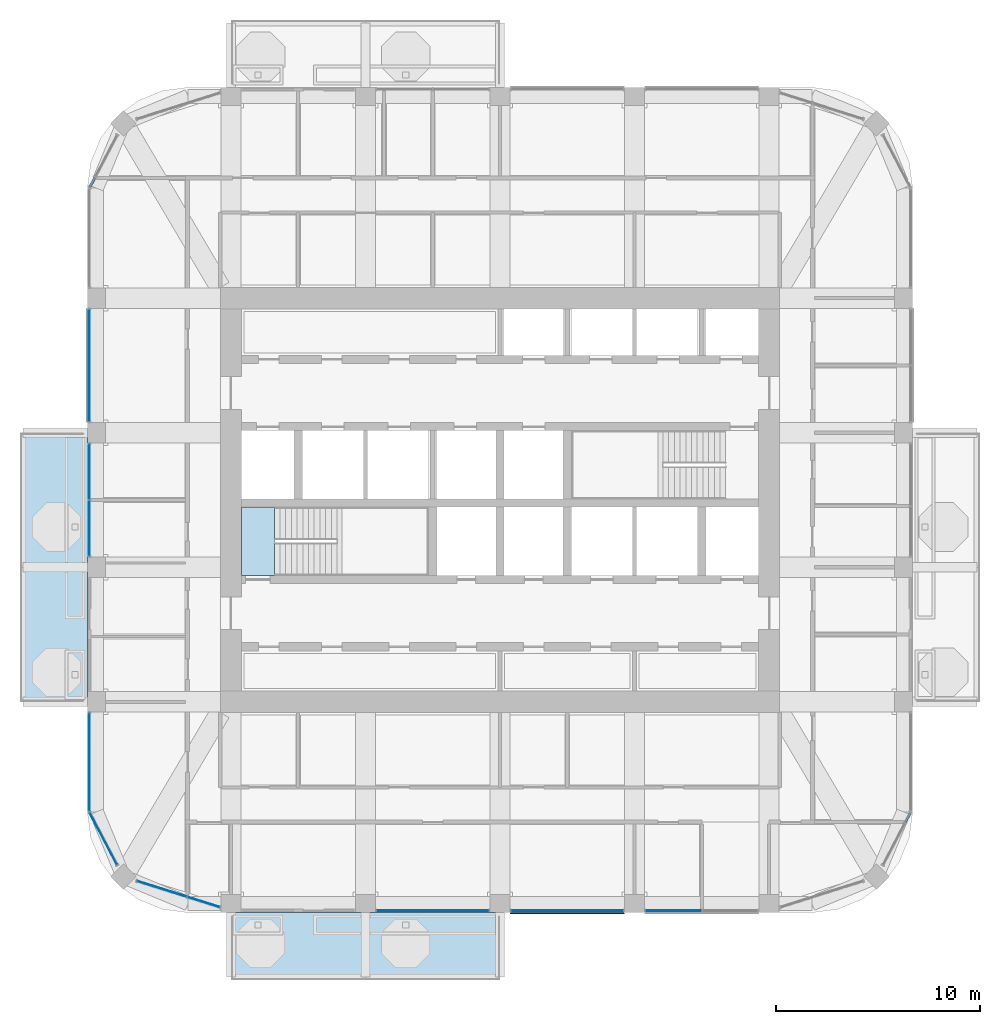
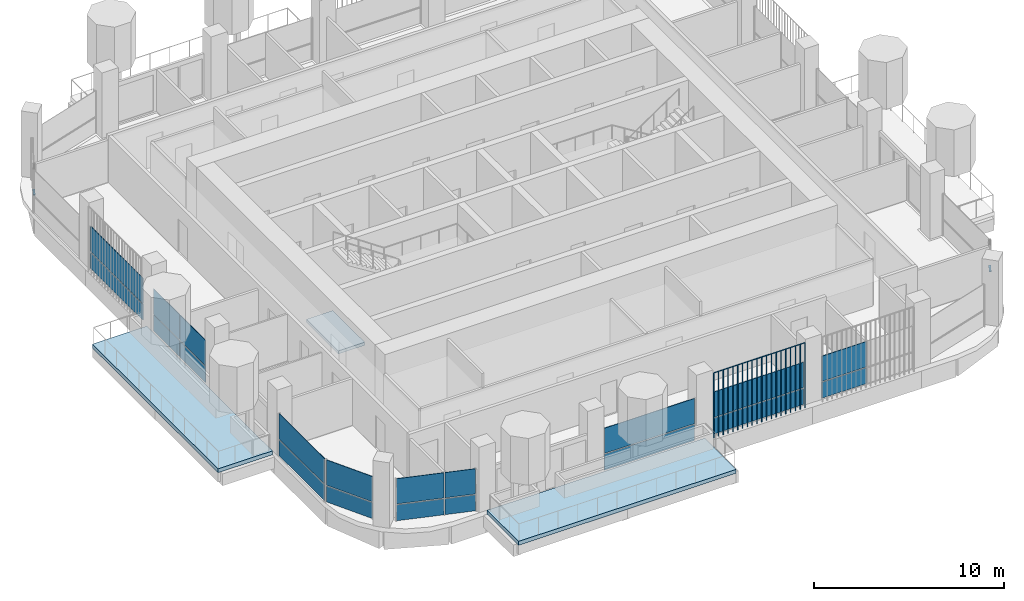
# One storey, part 8 of 20: 21 plates, 3 slabs, 2 members, 11 elements without a shape of their own.
"""IFC4 building model written with IfcOpenShell, lengths in metres."""

import ifcopenshell
import ifcopenshell.guid

model = None  # the IFC model being written
_history = None  # IfcOwnerHistory: only IFC2X3 demands one
_inside = {}  # id of a spatial element -> (the spatial element, [elements in it])
_under = {}  # id of a project, library or spatial element -> (it, [spatial elements below it])
_declared = {}  # id of a project -> (the project, [libraries it declares])
_typed = {}  # id of a type object -> (the type object, [elements of that type])
_made_of = {}  # id of a material, layer set ... -> (it, [elements and type objects made of it])


def new_model(schema):
    """Start an empty IFC model of exactly this schema.

    Asked for "IFC4X3", IfcOpenShell would pick the latest addendum, in which some entities
    have other attributes; the version numbers below select the first issue.
    IFC2X3 requires an IfcOwnerHistory on every rooted entity: one is made here for all.
    """
    global model, _history
    if schema == "IFC4X3":
        model = ifcopenshell.file(schema_version=(4, 3, 0, 0))
    else:
        model = ifcopenshell.file(schema=schema)
    _inside.clear()
    _under.clear()
    _declared.clear()
    _typed.clear()
    _made_of.clear()
    _history = None
    if model.schema == "IFC2X3":
        org = make("IfcOrganization", Name="unknown")
        user = make(
            "IfcPersonAndOrganization",
            ThePerson=make("IfcPerson", FamilyName="unknown"),
            TheOrganization=org,
        )
        app = make(
            "IfcApplication",
            ApplicationDeveloper=org,
            Version="unknown",
            ApplicationFullName="unknown",
            ApplicationIdentifier="unknown",
        )
        _history = make(
            "IfcOwnerHistory",
            OwningUser=user,
            OwningApplication=app,
            ChangeAction="ADDED",
            CreationDate=0,
        )
    return model


def make(cls, **values):
    """One entity of the class cls with the attributes given. An attribute that is None is left unset."""
    return model.create_entity(
        cls, **{name: value for name, value in values.items() if value is not None}
    )


def rooted(cls, **values):
    """An entity with a GlobalId (a new one), such as an element, a storey or a relation."""
    return make(cls, GlobalId=ifcopenshell.guid.new(), OwnerHistory=_history, **values)


def si_unit(unit_type, name, prefix=None):
    """IfcSIUnit, for example si_unit("LENGTHUNIT", "METRE", prefix="MILLI")."""
    return make("IfcSIUnit", UnitType=unit_type, Prefix=prefix, Name=name)


def assignment(units):
    """IfcUnitAssignment: the units of a project."""
    return None if units is None else make("IfcUnitAssignment", Units=units)


def point(xyz):
    """IfcCartesianPoint."""
    return None if xyz is None else make("IfcCartesianPoint", Coordinates=xyz)


def direction(xyz):
    """IfcDirection."""
    return None if xyz is None else make("IfcDirection", DirectionRatios=xyz)


def frame(location, z_axis=None, x_axis=None):
    """IfcAxis2Placement3D, a coordinate frame: its origin and axes. An axis left out is left unset."""
    return make(
        "IfcAxis2Placement3D",
        Location=point(location),
        Axis=direction(z_axis),
        RefDirection=direction(x_axis),
    )


def frame_2d(location, x_axis=None):
    """IfcAxis2Placement2D, a coordinate frame in the plane: its origin and x axis."""
    return make(
        "IfcAxis2Placement2D", Location=point(location), RefDirection=direction(x_axis)
    )


def origin():
    """The frame at (0, 0, 0) with its axes left unset."""
    return frame((0.0, 0.0, 0.0))


def origin_2d():
    """The frame at (0, 0) in the plane with its x axis left unset."""
    return frame_2d((0.0, 0.0))


def place(relative_to, where):
    """IfcLocalPlacement: puts the frame where relative to a parent placement (None: the world)."""
    return make(
        "IfcLocalPlacement", PlacementRelTo=relative_to, RelativePlacement=where
    )


def context(
    kind, dimensions, precision=None, world=None, true_north=None, identifier=None
):
    """IfcGeometricRepresentationContext, for example the 3D "Model" context."""
    return make(
        "IfcGeometricRepresentationContext",
        ContextIdentifier=identifier,
        ContextType=kind,
        CoordinateSpaceDimension=dimensions,
        Precision=precision,
        WorldCoordinateSystem=world,
        TrueNorth=true_north,
    )


def subcontext(parent, identifier, kind, view, scale=None):
    """IfcGeometricRepresentationSubContext, for example "Body" below "Model"."""
    return make(
        "IfcGeometricRepresentationSubContext",
        ContextIdentifier=identifier,
        ContextType=kind,
        ParentContext=parent,
        TargetScale=scale,
        TargetView=view,
    )


def project(units=None, contexts=None):
    """IfcProject with its units and contexts."""
    return rooted(
        "IfcProject",
        Name="project",
        RepresentationContexts=contexts,
        UnitsInContext=assignment(units),
    )


def spatial(cls, under=None, at=None, **own):
    """A site, building, storey or space (cls), placed at a placement, below another one or the project."""
    s = rooted(cls, ObjectPlacement=at, **own)
    if under is not None:
        _under.setdefault(under.id(), (under, []))[1].append(s)
    return s


def polyline(points):
    """IfcPolyline through the points."""
    return make("IfcPolyline", Points=[point(p) for p in points])


def profile(cls, at=None, kind="AREA", **sizes):
    """A parametric profile (cls). Its sizes go by their IFC names, for example OverallWidth=200.0."""
    return make(cls, ProfileType=kind, Position=at, **sizes)


def rectangle(**sizes):
    """IfcRectangleProfileDef."""
    return profile("IfcRectangleProfileDef", **sizes)


def outline(outer, holes=None, kind="AREA"):
    """IfcArbitraryClosedProfileDef: a profile drawn as a closed curve; with holes, ...WithVoids."""
    if holes is None:
        return make("IfcArbitraryClosedProfileDef", ProfileType=kind, OuterCurve=outer)
    return make(
        "IfcArbitraryProfileDefWithVoids",
        ProfileType=kind,
        OuterCurve=outer,
        InnerCurves=holes,
    )


def extrude(swept, where, along, depth):
    """IfcExtrudedAreaSolid: the profile swept, set in the frame where, extruded along a direction by depth."""
    return make(
        "IfcExtrudedAreaSolid",
        SweptArea=swept,
        Position=where,
        ExtrudedDirection=direction(along),
        Depth=depth,
    )


def shape(context_of_items, identifier, shape_type, items):
    """IfcShapeRepresentation: the items that make up one representation, for example the "Body"."""
    return make(
        "IfcShapeRepresentation",
        ContextOfItems=context_of_items,
        RepresentationIdentifier=identifier,
        RepresentationType=shape_type,
        Items=items,
    )


def material(Name=None, Category=None):
    """IfcMaterial."""
    return make("IfcMaterial", Name=Name, Category=Category)


def layer(
    of_material, thickness, ventilated=None, Name=None, Category=None, Priority=None
):
    """IfcMaterialLayer: one layer of a wall or slab, of a material (None: an air gap)."""
    return make(
        "IfcMaterialLayer",
        Material=of_material,
        LayerThickness=thickness,
        IsVentilated=ventilated,
        Name=Name,
        Category=Category,
        Priority=Priority,
    )


def layer_set(layers, Name=None):
    """IfcMaterialLayerSet."""
    return make("IfcMaterialLayerSet", MaterialLayers=layers, LayerSetName=Name)


def material_profile(
    of_material, cross_section, Name=None, Category=None, Priority=None
):
    """IfcMaterialProfile: a cross section and its material."""
    return make(
        "IfcMaterialProfile",
        Name=Name,
        Material=of_material,
        Profile=cross_section,
        Priority=Priority,
        Category=Category,
    )


def profile_set(profiles, Name=None, composite=None):
    """IfcMaterialProfileSet."""
    return make(
        "IfcMaterialProfileSet",
        Name=Name,
        MaterialProfiles=profiles,
        CompositeProfile=composite,
    )


def made_of(thing, what):
    """Note that an element or type object is made of a material, layer set ...; save() writes the relation."""
    if what is not None:
        _made_of.setdefault(what.id(), (what, []))[1].append(thing)
    return thing


def type_object(cls, material=None, **own):
    """A type object (cls), such as IfcWallType, which elements share."""
    return made_of(rooted(cls, **own), material)


def element(
    cls,
    number,
    at=None,
    inside=None,
    cuts=None,
    type_object=None,
    material=None,
    context=None,
    identifier="Body",
    shape_type=None,
    held_by="IfcProductDefinitionShape",
    body=None,
    shapes=None,
    **own,
):
    """One element of the class cls, such as IfcWall. Its Tag is "e" and its number.

    at: its placement. inside: the storey or other place that contains it. cuts: it is an
    opening in that element (IfcRelVoidsElement). A single representation is given by context,
    identifier, shape_type and body (its items); several are given by shapes. held_by: the class
    of the entity that holds the representations. save() writes the other relations.
    """
    e = rooted(cls, Tag="e%d" % number, ObjectPlacement=at, **own)
    if body is not None:
        shapes = [shape(context, identifier, shape_type, body)]
    if shapes is not None:
        e.Representation = make(held_by, Representations=shapes)
    if inside is not None:
        _inside.setdefault(inside.id(), (inside, []))[1].append(e)
    if cuts is not None:
        rooted(
            "IfcRelVoidsElement", RelatingBuildingElement=cuts, RelatedOpeningElement=e
        )
    if type_object is not None:
        _typed.setdefault(type_object.id(), (type_object, []))[1].append(e)
    return made_of(e, material)


def aggregate(whole, parts):
    """IfcRelAggregates: a whole, such as a stair, and the parts it consists of."""
    return rooted("IfcRelAggregates", RelatingObject=whole, RelatedObjects=parts)


def save(model, path):
    """Write the relations noted so far, then the file.

    IfcRelAggregates (storeys below a building ...), IfcRelContainedInSpatialStructure (elements
    in a storey), IfcRelDefinesByType, IfcRelAssociatesMaterial and IfcRelDeclares: one each for
    every whole, place, type object, material and project.
    """
    for whole, parts in _under.values():
        aggregate(whole, parts)
    for where, things in _inside.values():
        rooted(
            "IfcRelContainedInSpatialStructure",
            RelatedElements=things,
            RelatingStructure=where,
        )
    for kind, things in _typed.values():
        rooted("IfcRelDefinesByType", RelatedObjects=things, RelatingType=kind)
    for what, things in _made_of.values():
        rooted("IfcRelAssociatesMaterial", RelatedObjects=things, RelatingMaterial=what)
    for by, libraries in _declared.values():
        rooted("IfcRelDeclares", RelatingContext=by, RelatedDefinitions=libraries)
    model.write(path)


model = new_model("IFC4")

# Units and contexts
model_context = context("Model", 3, precision=1e-05, world=origin(), true_north=direction((0.0, 1.0)))
body_context = subcontext(model_context, "Body", "Model", "MODEL_VIEW")
ifc_project = project(units=[si_unit("LENGTHUNIT", "METRE"), si_unit("AREAUNIT", "SQUARE_METRE"), si_unit("VOLUMEUNIT", "CUBIC_METRE"), si_unit("PLANEANGLEUNIT", "RADIAN"), si_unit("MASSUNIT", "GRAM", prefix="KILO")], contexts=[model_context])

# Site, building, storey
site_placement = place(None, origin())
site = spatial("IfcSite", under=ifc_project, at=site_placement, CompositionType="ELEMENT")
building_placement = place(site_placement, origin())
building = spatial("IfcBuilding", under=site, at=building_placement, Name="Cobogo Forest Laboratory Tower", CompositionType="ELEMENT")
storey_placement = place(building_placement, frame((0.0, 0.0, 279.60009765625)))
storey = spatial("IfcBuildingStorey", under=building, at=storey_placement, Name="L64", CompositionType="ELEMENT", Elevation=279.60009765625)

# Curtain wall, member
ifc_material_1 = material(Name="Aluminium curtain wall", Category="aluminium")
curtain_wall_type = type_object("IfcCurtainWallType", Name="CW-2 unitised curtain wall, solar control glazing, laboratory floors zones C and D", PredefinedType="USERDEFINED", material=ifc_material_1)
curtain_wall_1_placement = place(storey_placement, origin())
curtain_wall_1 = element("IfcCurtainWall", 1, at=curtain_wall_1_placement, inside=storey, type_object=curtain_wall_type, Name="Curtain wall 06 L64", ObjectType="UNITISED CURTAIN WALL", PredefinedType="USERDEFINED")
ifc_material_2 = material(Name="Aluminium transom", Category="aluminium")
ifc_material_profile = material_profile(ifc_material_2, rectangle(XDim=0.1201171875, YDim=0.06005859375, at=origin_2d()), Name="AL 60x120")
ifc_profile_set = profile_set([ifc_material_profile], Name="Aluminium transom")
member_type = type_object("IfcMemberType", Name="TR-1 aluminium transom 60x120", PredefinedType="USERDEFINED", material=ifc_profile_set)
member_1_placement = place(storey_placement, frame((46.282470703125, 7.289306640625, 1.0498046875), z_axis=(0.46414828098, 0.885757513806, 0.0), x_axis=(-0.885757513806, 0.46414828098, 0.0)))
member_1 = element("IfcMember", 2, at=member_1_placement, type_object=member_type, Name="CW-2 transom 2.1", ObjectType="TRANSOM", PredefinedType="USERDEFINED", context=body_context, shape_type="SweptSolid", body=[
    extrude(rectangle(XDim=0.1201171875, YDim=0.06005859375, at=origin_2d()), origin(), (0.0, 0.0, 1.0), 0.5166015625),
])
aggregate(curtain_wall_1, [member_1])

curtain_wall_2_placement = place(storey_placement, origin())
curtain_wall_2 = element("IfcCurtainWall", 3, at=curtain_wall_2_placement, inside=storey, type_object=curtain_wall_type, Name="Curtain wall 19 L64", ObjectType="UNITISED CURTAIN WALL", PredefinedType="USERDEFINED")
member_2_placement = place(storey_placement, frame((6.517578125, 38.91064453125, 1.0498046875), z_axis=(-0.46414828098, -0.885757513806, 0.0), x_axis=(0.885757513806, -0.46414828098, 0.0)))
member_2 = element("IfcMember", 4, at=member_2_placement, type_object=member_type, Name="CW-2 transom 2.1", ObjectType="TRANSOM", PredefinedType="USERDEFINED", context=body_context, shape_type="SweptSolid", body=[
    extrude(rectangle(XDim=0.1201171875, YDim=0.06005859375, at=origin_2d()), origin(), (0.0, 0.0, 1.0), 0.5166015625),
])
aggregate(curtain_wall_2, [member_2])

# Slabs
ifc_material_3 = material(Name="Concrete HA-40 (C40/50)", Category="concrete")
ifc_layer_1 = layer(ifc_material_3, 0.25)
ifc_layer_set_1 = layer_set([ifc_layer_1], Name="Balcony slab 250")
slab_type_1 = type_object("IfcSlabType", Name="Balcony slab 250", PredefinedType="FLOOR", material=ifc_layer_set_1)
slab_1_placement = place(storey_placement, frame((0.0, 0.0, -0.25)))
element("IfcSlab", 5, at=slab_1_placement, inside=storey, type_object=slab_type_1, Name="Balcony BAL-S1 L64", PredefinedType="FLOOR", context=body_context, shape_type="SweptSolid", body=[
    extrude(outline(polyline([(13.199951171875, -0.449951171875), (26.39990234375, -0.449951171875), (26.39990234375, 2.85009765625), (13.199951171875, 2.85009765625), (13.199951171875, -0.449951171875)])), origin(), (0.0, 0.0, 1.0), 0.25),
])
slab_2_placement = place(storey_placement, frame((0.0, 0.0, -0.25)))
element("IfcSlab", 6, at=slab_2_placement, inside=storey, type_object=slab_type_1, Name="Balcony BAL-W1 L64", PredefinedType="FLOOR", context=body_context, shape_type="SweptSolid", body=[
    extrude(outline(polyline([(2.85009765625, 13.199951171875), (6.14990234375, 13.199951171875), (6.14990234375, 26.39990234375), (2.85009765625, 26.39990234375), (2.85009765625, 13.199951171875)])), origin(), (0.0, 0.0, 1.0), 0.25),
])

# Curtain wall, plates
curtain_wall_3_placement = place(storey_placement, origin())
curtain_wall_3 = element("IfcCurtainWall", 7, at=curtain_wall_3_placement, inside=storey, type_object=curtain_wall_type, Name="Curtain wall 02 L64", ObjectType="UNITISED CURTAIN WALL", PredefinedType="USERDEFINED")
ifc_material_4 = material(Name="Solar control insulated glass", Category="glass")
ifc_layer_2 = layer(ifc_material_4, 0.031982421875)
ifc_layer_set_2 = layer_set([ifc_layer_2], Name="GP-2 solar control glass unit 32")
plate_type_1 = type_object("IfcPlateType", Name="GP-2 solar control glass unit 32", PredefinedType="CURTAIN_PANEL", material=ifc_layer_set_2)
plate_1_placement = place(storey_placement, frame((23.10009765625, 2.949951171875, 0.0), z_axis=(0.0, 0.0, 1.0), x_axis=(1.0, 0.0, 0.0)))
plate_1 = element("IfcPlate", 8, at=plate_1_placement, type_object=plate_type_1, Name="CW-2 panel 1.1", PredefinedType="CURTAIN_PANEL", context=body_context, shape_type="SweptSolid", body=[
    extrude(rectangle(XDim=5.47998046875, YDim=0.031982421875, at=origin_2d()), origin(), (0.0, 0.0, 1.0), 1.02001953125),
])
plate_2_placement = place(storey_placement, frame((23.10009765625, 2.949951171875, 1.079833984375), z_axis=(0.0, 0.0, 1.0), x_axis=(1.0, 0.0, 0.0)))
plate_2 = element("IfcPlate", 9, at=plate_2_placement, type_object=plate_type_1, Name="CW-2 panel 1.2", PredefinedType="CURTAIN_PANEL", context=body_context, shape_type="SweptSolid", body=[
    extrude(rectangle(XDim=5.47998046875, YDim=0.031982421875, at=origin_2d()), origin(), (0.0, 0.0, 1.0), 1.6201171875),
])
aggregate(curtain_wall_3, [plate_1, plate_2])

curtain_wall_4_placement = place(storey_placement, origin())
curtain_wall_4 = element("IfcCurtainWall", 10, at=curtain_wall_4_placement, inside=storey, type_object=curtain_wall_type, Name="Curtain wall 03 L64", ObjectType="UNITISED CURTAIN WALL", PredefinedType="USERDEFINED")
plate_3_placement = place(storey_placement, frame((29.699951171875, 2.949951171875, 0.0), z_axis=(0.0, 0.0, 1.0), x_axis=(1.0, 0.0, 0.0)))
plate_3 = element("IfcPlate", 11, at=plate_3_placement, type_object=plate_type_1, Name="CW-2 panel 1.1", PredefinedType="CURTAIN_PANEL", context=body_context, shape_type="SweptSolid", body=[
    extrude(rectangle(XDim=5.47998046875, YDim=0.031982421875, at=origin_2d()), origin(), (0.0, 0.0, 1.0), 1.02001953125),
])
plate_4_placement = place(storey_placement, frame((29.699951171875, 2.949951171875, 1.079833984375), z_axis=(0.0, 0.0, 1.0), x_axis=(1.0, 0.0, 0.0)))
plate_4 = element("IfcPlate", 12, at=plate_4_placement, type_object=plate_type_1, Name="CW-2 panel 1.2", PredefinedType="CURTAIN_PANEL", context=body_context, shape_type="SweptSolid", body=[
    extrude(rectangle(XDim=5.47998046875, YDim=0.031982421875, at=origin_2d()), origin(), (0.0, 0.0, 1.0), 1.6201171875),
])
aggregate(curtain_wall_4, [plate_3, plate_4])

curtain_wall_5_placement = place(storey_placement, origin())
curtain_wall_5 = element("IfcCurtainWall", 13, at=curtain_wall_5_placement, inside=storey, type_object=curtain_wall_type, Name="Curtain wall 04 L64", ObjectType="UNITISED CURTAIN WALL", PredefinedType="USERDEFINED")
plate_5_placement = place(storey_placement, frame((34.9150390625, 2.949951171875, 0.0), z_axis=(0.0, 0.0, 1.0), x_axis=(1.0, 0.0, 0.0)))
plate_5 = element("IfcPlate", 14, at=plate_5_placement, type_object=plate_type_1, Name="CW-2 panel 1.1", PredefinedType="CURTAIN_PANEL", context=body_context, shape_type="SweptSolid", body=[
    extrude(rectangle(XDim=2.7099609375, YDim=0.031982421875, at=origin_2d()), origin(), (0.0, 0.0, 1.0), 1.02001953125),
])
plate_6_placement = place(storey_placement, frame((34.9150390625, 2.949951171875, 1.079833984375), z_axis=(0.0, 0.0, 1.0), x_axis=(1.0, 0.0, 0.0)))
plate_6 = element("IfcPlate", 15, at=plate_6_placement, type_object=plate_type_1, Name="CW-2 panel 1.2", PredefinedType="CURTAIN_PANEL", context=body_context, shape_type="SweptSolid", body=[
    extrude(rectangle(XDim=2.7099609375, YDim=0.031982421875, at=origin_2d()), origin(), (0.0, 0.0, 1.0), 1.6201171875),
])
aggregate(curtain_wall_5, [plate_5, plate_6])

curtain_wall_6_placement = place(storey_placement, origin())
curtain_wall_6 = element("IfcCurtainWall", 16, at=curtain_wall_6_placement, inside=storey, type_object=curtain_wall_type, Name="Curtain wall 21 L64", ObjectType="UNITISED CURTAIN WALL", PredefinedType="USERDEFINED")
plate_7_placement = place(storey_placement, frame((6.25, 29.699951171875, 0.0), z_axis=(0.0, 0.0, 1.0), x_axis=(0.0, -1.0, 0.0)))
plate_7 = element("IfcPlate", 17, at=plate_7_placement, type_object=plate_type_1, Name="CW-2 panel 1.1", PredefinedType="CURTAIN_PANEL", context=body_context, shape_type="SweptSolid", body=[
    extrude(rectangle(XDim=5.47998046875, YDim=0.031982421875, at=origin_2d()), origin(), (0.0, 0.0, 1.0), 1.02001953125),
])
plate_8_placement = place(storey_placement, frame((6.25, 29.699951171875, 1.079833984375), z_axis=(0.0, 0.0, 1.0), x_axis=(0.0, -1.0, 0.0)))
plate_8 = element("IfcPlate", 18, at=plate_8_placement, type_object=plate_type_1, Name="CW-2 panel 1.2", PredefinedType="CURTAIN_PANEL", context=body_context, shape_type="SweptSolid", body=[
    extrude(rectangle(XDim=5.47998046875, YDim=0.031982421875, at=origin_2d()), origin(), (0.0, 0.0, 1.0), 1.6201171875),
])
aggregate(curtain_wall_6, [plate_7, plate_8])

curtain_wall_7_placement = place(storey_placement, origin())
curtain_wall_7 = element("IfcCurtainWall", 19, at=curtain_wall_7_placement, inside=storey, type_object=curtain_wall_type, Name="Curtain wall 22 L64", ObjectType="UNITISED CURTAIN WALL", PredefinedType="USERDEFINED")
plate_9_placement = place(storey_placement, frame((6.25, 24.485107421875, 0.0), z_axis=(0.0, 0.0, 1.0), x_axis=(0.0, -1.0, 0.0)))
plate_9 = element("IfcPlate", 20, at=plate_9_placement, type_object=plate_type_1, Name="CW-2 panel 1.1", PredefinedType="CURTAIN_PANEL", context=body_context, shape_type="SweptSolid", body=[
    extrude(rectangle(XDim=2.7099609375, YDim=0.031982421875, at=origin_2d()), origin(), (0.0, 0.0, 1.0), 1.02001953125),
])
plate_10_placement = place(storey_placement, frame((6.25, 24.485107421875, 1.079833984375), z_axis=(0.0, 0.0, 1.0), x_axis=(0.0, -1.0, 0.0)))
plate_10 = element("IfcPlate", 21, at=plate_10_placement, type_object=plate_type_1, Name="CW-2 panel 1.2", PredefinedType="CURTAIN_PANEL", context=body_context, shape_type="SweptSolid", body=[
    extrude(rectangle(XDim=2.7099609375, YDim=0.031982421875, at=origin_2d()), origin(), (0.0, 0.0, 1.0), 1.6201171875),
])
plate_11_placement = place(storey_placement, frame((6.25, 21.715087890625, 0.0), z_axis=(0.0, 0.0, 1.0), x_axis=(0.0, -1.0, 0.0)))
plate_11 = element("IfcPlate", 22, at=plate_11_placement, type_object=plate_type_1, Name="CW-2 panel 2.1", PredefinedType="CURTAIN_PANEL", context=body_context, shape_type="SweptSolid", body=[
    extrude(rectangle(XDim=2.7099609375, YDim=0.031982421875, at=origin_2d()), origin(), (0.0, 0.0, 1.0), 1.02001953125),
])
plate_12_placement = place(storey_placement, frame((6.25, 21.715087890625, 1.079833984375), z_axis=(0.0, 0.0, 1.0), x_axis=(0.0, -1.0, 0.0)))
plate_12 = element("IfcPlate", 23, at=plate_12_placement, type_object=plate_type_1, Name="CW-2 panel 2.2", PredefinedType="CURTAIN_PANEL", context=body_context, shape_type="SweptSolid", body=[
    extrude(rectangle(XDim=2.7099609375, YDim=0.031982421875, at=origin_2d()), origin(), (0.0, 0.0, 1.0), 1.6201171875),
])
aggregate(curtain_wall_7, [plate_9, plate_10, plate_11, plate_12])

curtain_wall_8_placement = place(storey_placement, origin())
curtain_wall_8 = element("IfcCurtainWall", 24, at=curtain_wall_8_placement, inside=storey, type_object=curtain_wall_type, Name="Curtain wall 24 L64", ObjectType="UNITISED CURTAIN WALL", PredefinedType="USERDEFINED")
plate_13_placement = place(storey_placement, frame((6.25, 10.25, 0.0), z_axis=(0.0, 0.0, 1.0), x_axis=(0.0, -1.0, 0.0)))
plate_13 = element("IfcPlate", 25, at=plate_13_placement, type_object=plate_type_1, Name="CW-2 panel 1.1", PredefinedType="CURTAIN_PANEL", context=body_context, shape_type="SweptSolid", body=[
    extrude(rectangle(XDim=4.780029296875, YDim=0.031982421875, at=origin_2d()), origin(), (0.0, 0.0, 1.0), 1.02001953125),
])
plate_14_placement = place(storey_placement, frame((6.25, 10.25, 1.079833984375), z_axis=(0.0, 0.0, 1.0), x_axis=(0.0, -1.0, 0.0)))
plate_14 = element("IfcPlate", 26, at=plate_14_placement, type_object=plate_type_1, Name="CW-2 panel 1.2", PredefinedType="CURTAIN_PANEL", context=body_context, shape_type="SweptSolid", body=[
    extrude(rectangle(XDim=4.780029296875, YDim=0.031982421875, at=origin_2d()), origin(), (0.0, 0.0, 1.0), 1.6201171875),
])
aggregate(curtain_wall_8, [plate_13, plate_14])

curtain_wall_9_placement = place(storey_placement, origin())
curtain_wall_9 = element("IfcCurtainWall", 27, at=curtain_wall_9_placement, inside=storey, type_object=curtain_wall_type, Name="Curtain wall 25 L64", ObjectType="UNITISED CURTAIN WALL", PredefinedType="USERDEFINED")
plate_15_placement = place(storey_placement, frame((6.94287109375, 6.47802734375, 0.0), z_axis=(0.0, 0.0, 1.0), x_axis=(0.464283778337, -0.885686498245, 0.0)))
plate_15 = element("IfcPlate", 28, at=plate_15_placement, type_object=plate_type_1, Name="CW-2 panel 1.1", PredefinedType="CURTAIN_PANEL", context=body_context, shape_type="SweptSolid", body=[
    extrude(rectangle(XDim=2.864990234375, YDim=0.031982421875, at=origin_2d()), origin(), (0.0, 0.0, 1.0), 1.02001953125),
])
plate_16_placement = place(storey_placement, frame((6.94287109375, 6.47802734375, 1.079833984375), z_axis=(0.0, 0.0, 1.0), x_axis=(0.464283778337, -0.885686498245, 0.0)))
plate_16 = element("IfcPlate", 29, at=plate_16_placement, type_object=plate_type_1, Name="CW-2 panel 1.2", PredefinedType="CURTAIN_PANEL", context=body_context, shape_type="SweptSolid", body=[
    extrude(rectangle(XDim=2.864990234375, YDim=0.031982421875, at=origin_2d()), origin(), (0.0, 0.0, 1.0), 1.6201171875),
])
aggregate(curtain_wall_9, [plate_15, plate_16])

curtain_wall_10_placement = place(storey_placement, origin())
curtain_wall_10 = element("IfcCurtainWall", 30, at=curtain_wall_10_placement, inside=storey, type_object=curtain_wall_type, Name="Curtain wall 26 L64", ObjectType="UNITISED CURTAIN WALL", PredefinedType="USERDEFINED")
plate_17_placement = place(storey_placement, frame((9.810546875, 4.0205078125, 0.0), z_axis=(0.0, 0.0, 1.0), x_axis=(0.953581379409, -0.301135439371, 0.0)))
plate_17 = element("IfcPlate", 31, at=plate_17_placement, type_object=plate_type_1, Name="CW-2 panel 1.1", PredefinedType="CURTAIN_PANEL", context=body_context, shape_type="SweptSolid", body=[
    extrude(rectangle(XDim=2.541748046875, YDim=0.031982421875, at=origin_2d()), origin(), (0.0, 0.0, 1.0), 1.02001953125),
])
plate_18_placement = place(storey_placement, frame((9.810546875, 4.0205078125, 1.079833984375), z_axis=(0.0, 0.0, 1.0), x_axis=(0.953581379409, -0.301135439371, 0.0)))
plate_18 = element("IfcPlate", 32, at=plate_18_placement, type_object=plate_type_1, Name="CW-2 panel 1.2", PredefinedType="CURTAIN_PANEL", context=body_context, shape_type="SweptSolid", body=[
    extrude(rectangle(XDim=2.541748046875, YDim=0.031982421875, at=origin_2d()), origin(), (0.0, 0.0, 1.0), 1.6201171875),
])
plate_19_placement = place(storey_placement, frame((11.861083984375, 3.372802734375, 0.0), z_axis=(0.0, 0.0, 1.0), x_axis=(0.953581379409, -0.301135439371, 0.0)))
plate_19 = element("IfcPlate", 33, at=plate_19_placement, type_object=plate_type_1, Name="CW-2 panel 2.1", PredefinedType="CURTAIN_PANEL", context=body_context, shape_type="SweptSolid", body=[
    extrude(rectangle(XDim=1.639404296875, YDim=0.031982421875, at=origin_2d()), origin(), (0.0, 0.0, 1.0), 1.02001953125),
])
plate_20_placement = place(storey_placement, frame((11.861083984375, 3.372802734375, 1.079833984375), z_axis=(0.0, 0.0, 1.0), x_axis=(0.953581379409, -0.301135439371, 0.0)))
plate_20 = element("IfcPlate", 34, at=plate_20_placement, type_object=plate_type_1, Name="CW-2 panel 2.2", PredefinedType="CURTAIN_PANEL", context=body_context, shape_type="SweptSolid", body=[
    extrude(rectangle(XDim=1.639404296875, YDim=0.031982421875, at=origin_2d()), origin(), (0.0, 0.0, 1.0), 1.6201171875),
])
aggregate(curtain_wall_10, [plate_17, plate_18, plate_19, plate_20])

# Stair, slab
ifc_material_5 = material(Name="Precast concrete HA-40 (C40/50)", Category="concrete")
stair_type = type_object("IfcStairType", Name="ST24 exit stair 24 risers", PredefinedType="HALF_TURN_STAIR", material=ifc_material_5)
stair_placement = place(storey_placement, origin())
stair = element("IfcStair", 35, at=stair_placement, inside=storey, type_object=stair_type, Name="Stair 1 L64 to L65", PredefinedType="HALF_TURN_STAIR")
ifc_layer_3 = layer(ifc_material_3, 0.199951171875)
ifc_layer_set_3 = layer_set([ifc_layer_3], Name="SL stair landing 200")
slab_type_2 = type_object("IfcSlabType", Name="SL stair landing 200", PredefinedType="LANDING", material=ifc_layer_set_3)
slab_3_placement = place(storey_placement, frame((0.0, 0.0, -0.2001953125)))
slab_3 = element("IfcSlab", 36, at=slab_3_placement, type_object=slab_type_2, Name="ST1 landing 1", PredefinedType="LANDING", context=body_context, shape_type="SweptSolid", body=[
    extrude(outline(polyline([(13.72509765625, 19.39990234375), (15.326904296875, 19.39990234375), (15.326904296875, 22.75), (13.72509765625, 22.75), (13.72509765625, 19.39990234375)])), origin(), (0.0, 0.0, 1.0), 0.2001953125),
])
aggregate(stair, [slab_3])

# Plate
ifc_material_6 = material(Name="Terracotta", Category="masonry")
plate_type_2 = type_object("IfcPlateType", Name="TB1 terracotta baguette screen", PredefinedType="USERDEFINED", material=ifc_material_6)
plate_21_placement = place(storey_placement, frame((26.93115234375, 2.822021484375, -0.150146484375)))
element("IfcPlate", 37, at=plate_21_placement, inside=storey, type_object=plate_type_2, Name="Baguette screen S3 L64", ObjectType="BAGUETTE SCREEN", PredefinedType="USERDEFINED", context=body_context, shape_type="SweptSolid", body=[
    extrude(outline(polyline([(0.02880859375, 0.011962890625), (0.011962890625, 0.02880859375), (-0.011962890625, 0.02880859375), (-0.02880859375, 0.011962890625), (-0.02880859375, -0.011962890625), (-0.011962890625, -0.02880859375), (0.011962890625, -0.02880859375), (0.02880859375, -0.011962890625), (0.02880859375, 0.011962890625)])), frame((0.0, 0.0, 4.168701171875), z_axis=(1.0, 0.0, 0.0), x_axis=(0.0, 1.0, 0.0)), (0.0, 0.0, 1.0), 5.53759765625),
    extrude(outline(polyline([(0.02880859375, 0.011962890625), (0.011962890625, 0.02880859375), (-0.011962890625, 0.02880859375), (-0.02880859375, 0.011962890625), (-0.02880859375, -0.011962890625), (-0.011962890625, -0.02880859375), (0.011962890625, -0.02880859375), (0.02880859375, -0.011962890625), (0.02880859375, 0.011962890625)])), origin(), (0.0, 0.0, 1.0), 4.137451171875),
    extrude(outline(polyline([(0.02880859375, 0.011962890625), (0.011962890625, 0.02880859375), (-0.011962890625, 0.02880859375), (-0.02880859375, 0.011962890625), (-0.02880859375, -0.011962890625), (-0.011962890625, -0.02880859375), (0.011962890625, -0.02880859375), (0.02880859375, -0.011962890625), (0.02880859375, 0.011962890625)])), frame((0.29150390625, 0.0, 0.0)), (0.0, 0.0, 1.0), 4.137451171875),
    extrude(outline(polyline([(0.02880859375, 0.011962890625), (0.011962890625, 0.02880859375), (-0.011962890625, 0.02880859375), (-0.02880859375, 0.011962890625), (-0.02880859375, -0.011962890625), (-0.011962890625, -0.02880859375), (0.011962890625, -0.02880859375), (0.02880859375, -0.011962890625), (0.02880859375, 0.011962890625)])), frame((0.5830078125, 0.0, 0.0)), (0.0, 0.0, 1.0), 4.137451171875),
    extrude(outline(polyline([(0.02880859375, 0.011962890625), (0.011962890625, 0.02880859375), (-0.011962890625, 0.02880859375), (-0.02880859375, 0.011962890625), (-0.02880859375, -0.011962890625), (-0.011962890625, -0.02880859375), (0.011962890625, -0.02880859375), (0.02880859375, -0.011962890625), (0.02880859375, 0.011962890625)])), frame((0.874267578125, 0.0, 0.0)), (0.0, 0.0, 1.0), 4.137451171875),
    extrude(outline(polyline([(0.02880859375, 0.011962890625), (0.011962890625, 0.02880859375), (-0.011962890625, 0.02880859375), (-0.02880859375, 0.011962890625), (-0.02880859375, -0.011962890625), (-0.011962890625, -0.02880859375), (0.011962890625, -0.02880859375), (0.02880859375, -0.011962890625), (0.02880859375, 0.011962890625)])), frame((1.165771484375, 0.0, 0.0)), (0.0, 0.0, 1.0), 4.137451171875),
    extrude(outline(polyline([(0.02880859375, 0.011962890625), (0.011962890625, 0.02880859375), (-0.011962890625, 0.02880859375), (-0.02880859375, 0.011962890625), (-0.02880859375, -0.011962890625), (-0.011962890625, -0.02880859375), (0.011962890625, -0.02880859375), (0.02880859375, -0.011962890625), (0.02880859375, 0.011962890625)])), frame((1.457275390625, 0.0, 0.0)), (0.0, 0.0, 1.0), 4.137451171875),
    extrude(outline(polyline([(0.02880859375, 0.011962890625), (0.011962890625, 0.02880859375), (-0.011962890625, 0.02880859375), (-0.02880859375, 0.011962890625), (-0.02880859375, -0.011962890625), (-0.011962890625, -0.02880859375), (0.011962890625, -0.02880859375), (0.02880859375, -0.011962890625), (0.02880859375, 0.011962890625)])), frame((1.748779296875, 0.0, 0.0)), (0.0, 0.0, 1.0), 4.137451171875),
    extrude(outline(polyline([(0.02880859375, 0.011962890625), (0.011962890625, 0.02880859375), (-0.011962890625, 0.02880859375), (-0.02880859375, 0.011962890625), (-0.02880859375, -0.011962890625), (-0.011962890625, -0.02880859375), (0.011962890625, -0.02880859375), (0.02880859375, -0.011962890625), (0.02880859375, 0.011962890625)])), frame((2.040283203125, 0.0, 0.0)), (0.0, 0.0, 1.0), 4.137451171875),
    extrude(outline(polyline([(0.02880859375, 0.011962890625), (0.011962890625, 0.02880859375), (-0.011962890625, 0.02880859375), (-0.02880859375, 0.011962890625), (-0.02880859375, -0.011962890625), (-0.011962890625, -0.02880859375), (0.011962890625, -0.02880859375), (0.02880859375, -0.011962890625), (0.02880859375, 0.011962890625)])), frame((2.33154296875, 0.0, 0.0)), (0.0, 0.0, 1.0), 4.137451171875),
    extrude(outline(polyline([(0.02880859375, 0.011962890625), (0.011962890625, 0.02880859375), (-0.011962890625, 0.02880859375), (-0.02880859375, 0.011962890625), (-0.02880859375, -0.011962890625), (-0.011962890625, -0.02880859375), (0.011962890625, -0.02880859375), (0.02880859375, -0.011962890625), (0.02880859375, 0.011962890625)])), frame((2.623046875, 0.0, 0.0)), (0.0, 0.0, 1.0), 4.137451171875),
    extrude(outline(polyline([(0.02880859375, 0.011962890625), (0.011962890625, 0.02880859375), (-0.011962890625, 0.02880859375), (-0.02880859375, 0.011962890625), (-0.02880859375, -0.011962890625), (-0.011962890625, -0.02880859375), (0.011962890625, -0.02880859375), (0.02880859375, -0.011962890625), (0.02880859375, 0.011962890625)])), frame((2.91455078125, 0.0, 0.0)), (0.0, 0.0, 1.0), 4.137451171875),
    extrude(outline(polyline([(0.02880859375, 0.011962890625), (0.011962890625, 0.02880859375), (-0.011962890625, 0.02880859375), (-0.02880859375, 0.011962890625), (-0.02880859375, -0.011962890625), (-0.011962890625, -0.02880859375), (0.011962890625, -0.02880859375), (0.02880859375, -0.011962890625), (0.02880859375, 0.011962890625)])), frame((3.2060546875, 0.0, 0.0)), (0.0, 0.0, 1.0), 4.137451171875),
    extrude(outline(polyline([(0.02880859375, 0.011962890625), (0.011962890625, 0.02880859375), (-0.011962890625, 0.02880859375), (-0.02880859375, 0.011962890625), (-0.02880859375, -0.011962890625), (-0.011962890625, -0.02880859375), (0.011962890625, -0.02880859375), (0.02880859375, -0.011962890625), (0.02880859375, 0.011962890625)])), frame((3.497314453125, 0.0, 0.0)), (0.0, 0.0, 1.0), 4.137451171875),
    extrude(outline(polyline([(0.02880859375, 0.011962890625), (0.011962890625, 0.02880859375), (-0.011962890625, 0.02880859375), (-0.02880859375, 0.011962890625), (-0.02880859375, -0.011962890625), (-0.011962890625, -0.02880859375), (0.011962890625, -0.02880859375), (0.02880859375, -0.011962890625), (0.02880859375, 0.011962890625)])), frame((3.788818359375, 0.0, 0.0)), (0.0, 0.0, 1.0), 4.137451171875),
    extrude(outline(polyline([(0.02880859375, 0.011962890625), (0.011962890625, 0.02880859375), (-0.011962890625, 0.02880859375), (-0.02880859375, 0.011962890625), (-0.02880859375, -0.011962890625), (-0.011962890625, -0.02880859375), (0.011962890625, -0.02880859375), (0.02880859375, -0.011962890625), (0.02880859375, 0.011962890625)])), frame((4.080322265625, 0.0, 0.0)), (0.0, 0.0, 1.0), 4.137451171875),
    extrude(outline(polyline([(0.02880859375, 0.011962890625), (0.011962890625, 0.02880859375), (-0.011962890625, 0.02880859375), (-0.02880859375, 0.011962890625), (-0.02880859375, -0.011962890625), (-0.011962890625, -0.02880859375), (0.011962890625, -0.02880859375), (0.02880859375, -0.011962890625), (0.02880859375, 0.011962890625)])), frame((4.371826171875, 0.0, 0.0)), (0.0, 0.0, 1.0), 4.137451171875),
    extrude(outline(polyline([(0.02880859375, 0.011962890625), (0.011962890625, 0.02880859375), (-0.011962890625, 0.02880859375), (-0.02880859375, 0.011962890625), (-0.02880859375, -0.011962890625), (-0.011962890625, -0.02880859375), (0.011962890625, -0.02880859375), (0.02880859375, -0.011962890625), (0.02880859375, 0.011962890625)])), frame((4.663330078125, 0.0, 0.0)), (0.0, 0.0, 1.0), 4.137451171875),
    extrude(outline(polyline([(0.02880859375, 0.011962890625), (0.011962890625, 0.02880859375), (-0.011962890625, 0.02880859375), (-0.02880859375, 0.011962890625), (-0.02880859375, -0.011962890625), (-0.011962890625, -0.02880859375), (0.011962890625, -0.02880859375), (0.02880859375, -0.011962890625), (0.02880859375, 0.011962890625)])), frame((4.95458984375, 0.0, 0.0)), (0.0, 0.0, 1.0), 4.137451171875),
    extrude(outline(polyline([(0.02880859375, 0.011962890625), (0.011962890625, 0.02880859375), (-0.011962890625, 0.02880859375), (-0.02880859375, 0.011962890625), (-0.02880859375, -0.011962890625), (-0.011962890625, -0.02880859375), (0.011962890625, -0.02880859375), (0.02880859375, -0.011962890625), (0.02880859375, 0.011962890625)])), frame((5.24609375, 0.0, 0.0)), (0.0, 0.0, 1.0), 4.137451171875),
    extrude(outline(polyline([(0.02880859375, 0.011962890625), (0.011962890625, 0.02880859375), (-0.011962890625, 0.02880859375), (-0.02880859375, 0.011962890625), (-0.02880859375, -0.011962890625), (-0.011962890625, -0.02880859375), (0.011962890625, -0.02880859375), (0.02880859375, -0.011962890625), (0.02880859375, 0.011962890625)])), frame((5.53759765625, 0.0, 0.0)), (0.0, 0.0, 1.0), 4.137451171875),
])

save(model, "model.ifc")
